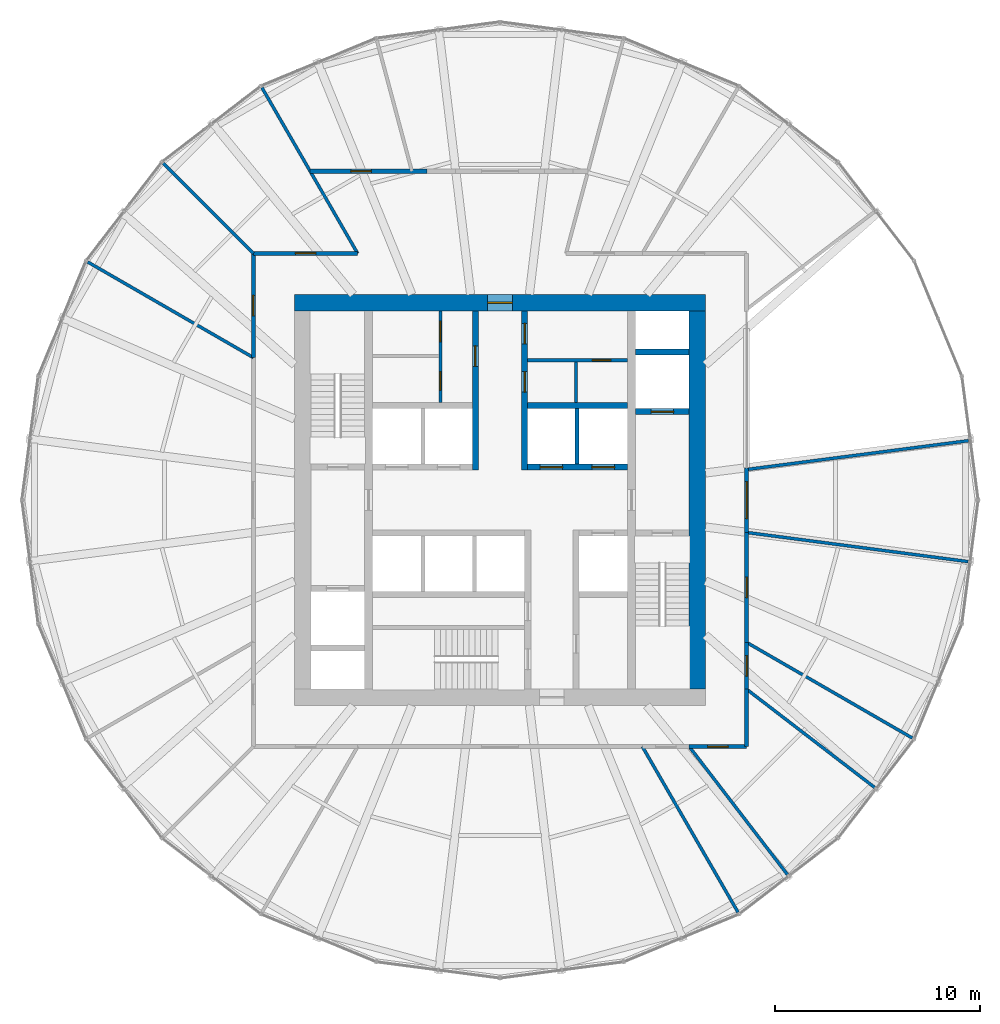
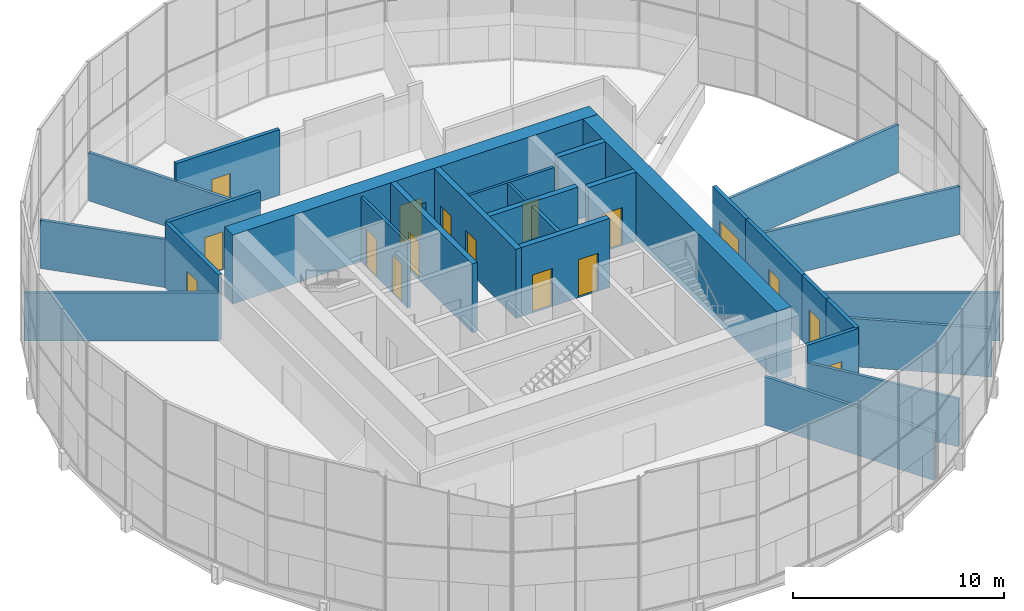
# One storey, part 16 of 18: 29 walls, 17 doors, 17 openings.
"""IFC4 building model written with IfcOpenShell, lengths in metres."""

from ifc_helpers import new_model, si_unit, direction, frame, frame_2d, origin, place, context, subcontext, project, spatial, rectangle, extrude, material, layer, layer_set, type_object, element, fill, save


model = new_model("IFC4")

# Units and contexts
model_context = context("Model", 3, precision=1e-05, world=origin(), true_north=direction((0.0, 1.0)))
body_context = subcontext(model_context, "Body", "Model", "MODEL_VIEW")
ifc_project = project(units=[si_unit("LENGTHUNIT", "METRE"), si_unit("AREAUNIT", "SQUARE_METRE"), si_unit("VOLUMEUNIT", "CUBIC_METRE"), si_unit("PLANEANGLEUNIT", "RADIAN"), si_unit("MASSUNIT", "GRAM", prefix="KILO")], contexts=[model_context])

# Site, building, storey
site_placement = place(None, origin())
site = spatial("IfcSite", under=ifc_project, at=site_placement, CompositionType="ELEMENT")
building_placement = place(site_placement, origin())
building = spatial("IfcBuilding", under=site, at=building_placement, Name="Golbaran Civic Tower", CompositionType="ELEMENT")
storey_placement = place(building_placement, frame((0.0, 0.0, 45.0)))
storey = spatial("IfcBuildingStorey", under=building, at=storey_placement, Name="L10", CompositionType="ELEMENT", Elevation=45.0)

# Wall, opening, door
ifc_material_1 = material(Name="Concrete block", Category="concrete")
ifc_layer_1 = layer(ifc_material_1, 0.14990234375, Name="Concrete block")
ifc_layer_set_1 = layer_set([ifc_layer_1], Name="Concrete block")
wall_type_1 = type_object("IfcWallType", Name="BLOCKWORK PARTITION 150", PredefinedType="PARTITIONING", material=ifc_layer_set_1)
wall_1_placement = place(storey_placement, frame((1.35009765625, 6.800048828125, 0.0), z_axis=(0.0, 0.0, 1.0), x_axis=(1.0, 0.0, 0.0)))
wall_1 = element("IfcWall", 1, at=wall_1_placement, inside=storey, type_object=wall_type_1, Name="Toilet block partition TN1 L10", PredefinedType="PARTITIONING", context=body_context, shape_type="SweptSolid", body=[
    extrude(rectangle(XDim=4.849853515625, YDim=0.14990234375, at=frame_2d((2.4248046875, 0.0))), origin(), (0.0, 0.0, 1.0), 3.75),
])
opening_1_placement = place(wall_1_placement, frame((3.14990234375, 0.0, 0.0)))
opening_1 = element("IfcOpeningElement", 2, at=opening_1_placement, cuts=wall_1, Name="Opening L10.CLN", PredefinedType="OPENING", context=body_context, shape_type="SweptSolid", body=[
    extrude(rectangle(XDim=0.89990234375, YDim=2.199951171875, at=frame_2d((0.449951171875, 1.10009765625))), frame((0.0, 0.0849609375, 0.0), z_axis=(0.0, -1.0, 0.0), x_axis=(1.0, 0.0, 0.0)), (0.0, 0.0, 1.0), 0.169921875),
])
ifc_material_2 = material(Name="Timber door set in steel frame", Category="steel")
door_type_1 = type_object("IfcDoorType", Name="RISER DOOR 900x2200", OperationType="SINGLE_SWING_LEFT", PredefinedType="DOOR", material=ifc_material_2)
door_1_placement = place(opening_1_placement, origin())
door_1 = element("IfcDoor", 3, at=door_1_placement, inside=storey, type_object=door_type_1, Name="Floor Store door", OperationType="SINGLE_SWING_RIGHT", OverallHeight=2.199951171875, OverallWidth=0.89990234375, PredefinedType="DOOR", context=body_context, shape_type="SweptSolid", body=[
    extrude(rectangle(XDim=0.89990234375, YDim=2.199951171875, at=frame_2d((0.449951171875, 1.10009765625))), frame((0.0, 0.02490234375, 0.0), z_axis=(0.0, -1.0, 0.0), x_axis=(1.0, 0.0, 0.0)), (0.0, 0.0, 1.0), 0.050048828125),
])
fill(opening_1, door_1)

# Wall
wall_2_placement = place(storey_placement, frame((3.699951171875, 4.75, 0.0), z_axis=(0.0, 0.0, 1.0), x_axis=(0.0, 1.0, 0.0)))
element("IfcWall", 4, at=wall_2_placement, inside=storey, type_object=wall_type_1, Name="Toilet block partition TN2 L10", PredefinedType="PARTITIONING", context=body_context, shape_type="SweptSolid", body=[
    extrude(rectangle(XDim=1.97509765625, YDim=0.14990234375, at=frame_2d((0.987548828125, 0.0))), origin(), (0.0, 0.0, 1.0), 3.75),
])

# Wall, opening, door
ifc_material_3 = material(Name="Concrete C50/60", Category="concrete")
ifc_layer_2 = layer(ifc_material_3, 0.800048828125, Name="Concrete C50/60")
ifc_layer_set_2 = layer_set([ifc_layer_2], Name="Concrete C50/60")
wall_type_2 = type_object("IfcWallType", Name="CORE WALL CONCRETE 800", PredefinedType="SOLIDWALL", material=ifc_layer_set_2)
wall_3_placement = place(storey_placement, frame((-10.0, 9.60009765625, 0.0), z_axis=(0.0, 0.0, 1.0), x_axis=(1.0, 0.0, 0.0)))
wall_3 = element("IfcWall", 5, at=wall_3_placement, inside=storey, type_object=wall_type_2, Name="Core wall CN L10", PredefinedType="SOLIDWALL", context=body_context, shape_type="SweptSolid", body=[
    extrude(rectangle(XDim=20.0, YDim=0.800048828125, at=frame_2d((10.0, 0.0))), origin(), (0.0, 0.0, 1.0), 4.0),
])
opening_2_placement = place(wall_3_placement, frame((9.39990234375, 0.0, 0.0)))
opening_2 = element("IfcOpeningElement", 6, at=opening_2_placement, cuts=wall_3, Name="Opening L10.CN", PredefinedType="OPENING", context=body_context, shape_type="SweptSolid", body=[
    extrude(rectangle(XDim=1.199951171875, YDim=2.199951171875, at=frame_2d((0.60009765625, 1.10009765625))), frame((0.0, 0.409912109375, 0.0), z_axis=(0.0, -1.0, 0.0), x_axis=(1.0, 0.0, 0.0)), (0.0, 0.0, 1.0), 0.820068359375),
])
door_type_2 = type_object("IfcDoorType", Name="CORE DOOR 1200x2200", OperationType="DOUBLE_DOOR_SINGLE_SWING", PredefinedType="DOOR", material=ifc_material_2)
door_2_placement = place(opening_2_placement, origin())
door_2 = element("IfcDoor", 7, at=door_2_placement, inside=storey, type_object=door_type_2, Name="Core door north", OperationType="DOUBLE_DOOR_SINGLE_SWING", OverallHeight=2.199951171875, OverallWidth=1.199951171875, PredefinedType="DOOR", context=body_context, shape_type="SweptSolid", body=[
    extrude(rectangle(XDim=1.199951171875, YDim=2.199951171875, at=frame_2d((0.60009765625, 1.10009765625))), frame((0.0, 0.02490234375, 0.0), z_axis=(0.0, -1.0, 0.0), x_axis=(1.0, 0.0, 0.0)), (0.0, 0.0, 1.0), 0.050048828125),
])
fill(opening_2, door_2)

# Wall
wall_4_placement = place(storey_placement, frame((9.60009765625, -9.199951171875, 0.0), z_axis=(0.0, 0.0, 1.0), x_axis=(0.0, 1.0, 0.0)))
element("IfcWall", 8, at=wall_4_placement, inside=storey, type_object=wall_type_2, Name="Core wall CE L10", PredefinedType="SOLIDWALL", context=body_context, shape_type="SweptSolid", body=[
    extrude(rectangle(XDim=18.39990234375, YDim=0.800048828125, at=frame_2d((9.199951171875, 0.0))), origin(), (0.0, 0.0, 1.0), 4.0),
])

# Wall, opening, door
ifc_material_4 = material(Name="Gypsum board on steel studs, fire-rated", Category="steel")
ifc_layer_3 = layer(ifc_material_4, 0.199951171875, Name="Gypsum board on steel studs, fire-rated")
ifc_layer_set_3 = layer_set([ifc_layer_3], Name="Gypsum board on steel studs, fire-rated")
wall_type_3 = type_object("IfcWallType", Name="CORRIDOR WALL 200", PredefinedType="PARTITIONING", material=ifc_layer_set_3)
wall_5_placement = place(storey_placement, frame((12.0, -6.92822265625, 0.0), z_axis=(0.0, 0.0, 1.0), x_axis=(0.0, 1.0, 0.0)))
wall_5 = element("IfcWall", 9, at=wall_5_placement, inside=storey, type_object=wall_type_3, Name="Corridor wall L10", PredefinedType="PARTITIONING", context=body_context, shape_type="SweptSolid", body=[
    extrude(rectangle(XDim=5.348388671875, YDim=0.199951171875, at=frame_2d((2.67431640625, 0.0))), origin(), (0.0, 0.0, 1.0), 3.800048828125),
])
opening_3_placement = place(wall_5_placement, frame((2.174072265625, 0.0, 0.0)))
opening_3 = element("IfcOpeningElement", 10, at=opening_3_placement, cuts=wall_5, Name="Opening L10.04", PredefinedType="OPENING", context=body_context, shape_type="SweptSolid", body=[
    extrude(rectangle(XDim=1.0, YDim=2.199951171875, at=frame_2d((0.5, 1.10009765625))), frame((0.0, 0.10986328125, 0.0), z_axis=(0.0, -1.0, 0.0), x_axis=(1.0, 0.0, 0.0)), (0.0, 0.0, 1.0), 0.219970703125),
])
door_type_3 = type_object("IfcDoorType", Name="OFFICE DOOR 1000x2200", OperationType="SINGLE_SWING_LEFT", PredefinedType="DOOR", material=ifc_material_2)
door_3_placement = place(opening_3_placement, origin())
door_3 = element("IfcDoor", 11, at=door_3_placement, inside=storey, type_object=door_type_3, Name="Meeting Room door L10", OperationType="SINGLE_SWING_LEFT", OverallHeight=2.199951171875, OverallWidth=1.0, PredefinedType="DOOR", context=body_context, shape_type="SweptSolid", body=[
    extrude(rectangle(XDim=1.0, YDim=2.199951171875, at=frame_2d((0.5, 1.10009765625))), frame((0.0, 0.02490234375, 0.0), z_axis=(0.0, -1.0, 0.0), x_axis=(1.0, 0.0, 0.0)), (0.0, 0.0, 1.0), 0.050048828125),
])
fill(opening_3, door_3)

wall_6_placement = place(storey_placement, frame((12.0, -1.579833984375, 0.0), z_axis=(0.0, 0.0, 1.0), x_axis=(0.0, 1.0, 0.0)))
wall_6 = element("IfcWall", 12, at=wall_6_placement, inside=storey, type_object=wall_type_3, Name="Corridor wall L10", PredefinedType="PARTITIONING", context=body_context, shape_type="SweptSolid", body=[
    extrude(rectangle(XDim=3.138671875, YDim=0.199951171875, at=frame_2d((1.5693359375, 0.0))), origin(), (0.0, 0.0, 1.0), 3.800048828125),
])
opening_4_placement = place(wall_6_placement, frame((0.66943359375, 0.0, 0.0)))
opening_4 = element("IfcOpeningElement", 13, at=opening_4_placement, cuts=wall_6, Name="Opening L10.05", PredefinedType="OPENING", context=body_context, shape_type="SweptSolid", body=[
    extrude(rectangle(XDim=1.800048828125, YDim=2.199951171875, at=frame_2d((0.89990234375, 1.10009765625))), frame((0.0, 0.10986328125, 0.0), z_axis=(0.0, -1.0, 0.0), x_axis=(1.0, 0.0, 0.0)), (0.0, 0.0, 1.0), 0.219970703125),
])
door_type_4 = type_object("IfcDoorType", Name="OFFICE DOUBLE DOOR 1800x2200", OperationType="DOUBLE_DOOR_SINGLE_SWING", PredefinedType="DOOR", material=ifc_material_2)
door_4_placement = place(opening_4_placement, origin())
door_4 = element("IfcDoor", 14, at=door_4_placement, inside=storey, type_object=door_type_4, Name="Open Office door L10", OperationType="DOUBLE_DOOR_SINGLE_SWING", OverallHeight=2.199951171875, OverallWidth=1.800048828125, PredefinedType="DOOR", context=body_context, shape_type="SweptSolid", body=[
    extrude(rectangle(XDim=1.800048828125, YDim=2.199951171875, at=frame_2d((0.89990234375, 1.10009765625))), frame((0.0, 0.02490234375, 0.0), z_axis=(0.0, -1.0, 0.0), x_axis=(1.0, 0.0, 0.0)), (0.0, 0.0, 1.0), 0.050048828125),
])
fill(opening_4, door_4)

wall_7_placement = place(storey_placement, frame((-6.92822265625, 12.0, 0.0), z_axis=(0.0, 0.0, 1.0), x_axis=(-1.0, 0.0, 0.0)))
wall_7 = element("IfcWall", 15, at=wall_7_placement, inside=storey, type_object=wall_type_3, Name="Corridor wall L10", PredefinedType="PARTITIONING", context=body_context, shape_type="SweptSolid", body=[
    extrude(rectangle(XDim=5.07177734375, YDim=0.199951171875, at=frame_2d((2.535888671875, 0.0))), origin(), (0.0, 0.0, 1.0), 3.800048828125),
])
opening_5_placement = place(wall_7_placement, frame((2.035888671875, 0.0, 0.0)))
opening_5 = element("IfcOpeningElement", 16, at=opening_5_placement, cuts=wall_7, Name="Opening L10.08", PredefinedType="OPENING", context=body_context, shape_type="SweptSolid", body=[
    extrude(rectangle(XDim=1.0, YDim=2.199951171875, at=frame_2d((0.5, 1.10009765625))), frame((0.0, 0.10986328125, 0.0), z_axis=(0.0, -1.0, 0.0), x_axis=(1.0, 0.0, 0.0)), (0.0, 0.0, 1.0), 0.219970703125),
])
door_5_placement = place(opening_5_placement, origin())
door_5 = element("IfcDoor", 17, at=door_5_placement, inside=storey, type_object=door_type_3, Name="Office door L10", OperationType="SINGLE_SWING_RIGHT", OverallHeight=2.199951171875, OverallWidth=1.0, PredefinedType="DOOR", context=body_context, shape_type="SweptSolid", body=[
    extrude(rectangle(XDim=1.0, YDim=2.199951171875, at=frame_2d((0.5, 1.10009765625))), frame((0.0, 0.02490234375, 0.0), z_axis=(0.0, -1.0, 0.0), x_axis=(1.0, 0.0, 0.0)), (0.0, 0.0, 1.0), 0.050048828125),
])
fill(opening_5, door_5)

wall_8_placement = place(storey_placement, frame((-12.0, 12.0, 0.0), z_axis=(0.0, 0.0, 1.0), x_axis=(0.0, -1.0, 0.0)))
wall_8 = element("IfcWall", 18, at=wall_8_placement, inside=storey, type_object=wall_type_3, Name="Corridor wall L10", PredefinedType="PARTITIONING", context=body_context, shape_type="SweptSolid", body=[
    extrude(rectangle(XDim=5.07177734375, YDim=0.199951171875, at=frame_2d((2.535888671875, 0.0))), origin(), (0.0, 0.0, 1.0), 3.800048828125),
])
opening_6_placement = place(wall_8_placement, frame((2.035888671875, 0.0, 0.0)))
opening_6 = element("IfcOpeningElement", 19, at=opening_6_placement, cuts=wall_8, Name="Opening L10.09", PredefinedType="OPENING", context=body_context, shape_type="SweptSolid", body=[
    extrude(rectangle(XDim=1.0, YDim=2.199951171875, at=frame_2d((0.5, 1.10009765625))), frame((0.0, 0.10986328125, 0.0), z_axis=(0.0, -1.0, 0.0), x_axis=(1.0, 0.0, 0.0)), (0.0, 0.0, 1.0), 0.219970703125),
])
door_6_placement = place(opening_6_placement, origin())
door_6 = element("IfcDoor", 20, at=door_6_placement, inside=storey, type_object=door_type_3, Name="Print and Copy Room door L10", OperationType="SINGLE_SWING_RIGHT", OverallHeight=2.199951171875, OverallWidth=1.0, PredefinedType="DOOR", context=body_context, shape_type="SweptSolid", body=[
    extrude(rectangle(XDim=1.0, YDim=2.199951171875, at=frame_2d((0.5, 1.10009765625))), frame((0.0, 0.02490234375, 0.0), z_axis=(0.0, -1.0, 0.0), x_axis=(1.0, 0.0, 0.0)), (0.0, 0.0, 1.0), 0.050048828125),
])
fill(opening_6, door_6)

wall_9_placement = place(storey_placement, frame((9.2080078125, -12.0, 0.0), z_axis=(0.0, 0.0, 1.0), x_axis=(1.0, 0.0, 0.0)))
wall_9 = element("IfcWall", 21, at=wall_9_placement, inside=storey, type_object=wall_type_3, Name="Corridor wall L10", PredefinedType="PARTITIONING", context=body_context, shape_type="SweptSolid", body=[
    extrude(rectangle(XDim=2.7919921875, YDim=0.199951171875, at=frame_2d((1.39599609375, 0.0))), origin(), (0.0, 0.0, 1.0), 3.800048828125),
])
opening_7_placement = place(wall_9_placement, frame((0.89599609375, 0.0, 0.0)))
opening_7 = element("IfcOpeningElement", 22, at=opening_7_placement, cuts=wall_9, Name="Opening L10.15", PredefinedType="OPENING", context=body_context, shape_type="SweptSolid", body=[
    extrude(rectangle(XDim=1.0, YDim=2.199951171875, at=frame_2d((0.5, 1.10009765625))), frame((0.0, 0.10986328125, 0.0), z_axis=(0.0, -1.0, 0.0), x_axis=(1.0, 0.0, 0.0)), (0.0, 0.0, 1.0), 0.219970703125),
])
door_7_placement = place(opening_7_placement, origin())
door_7 = element("IfcDoor", 23, at=door_7_placement, inside=storey, type_object=door_type_3, Name="Quiet Room door L10", OperationType="SINGLE_SWING_LEFT", OverallHeight=2.199951171875, OverallWidth=1.0, PredefinedType="DOOR", context=body_context, shape_type="SweptSolid", body=[
    extrude(rectangle(XDim=1.0, YDim=2.199951171875, at=frame_2d((0.5, 1.10009765625))), frame((0.0, 0.02490234375, 0.0), z_axis=(0.0, -1.0, 0.0), x_axis=(1.0, 0.0, 0.0)), (0.0, 0.0, 1.0), 0.050048828125),
])
fill(opening_7, door_7)

# Wall
wall_10_placement = place(storey_placement, frame((12.0, -12.0, 0.0), z_axis=(0.0, 0.0, 1.0), x_axis=(0.0, 1.0, 0.0)))
element("IfcWall", 24, at=wall_10_placement, inside=storey, type_object=wall_type_3, Name="Corridor wall L10", PredefinedType="PARTITIONING", context=body_context, shape_type="SweptSolid", body=[
    extrude(rectangle(XDim=2.7919921875, YDim=0.199951171875, at=frame_2d((1.39599609375, 0.0))), origin(), (0.0, 0.0, 1.0), 3.800048828125),
])

# Wall, opening, door
wall_11_placement = place(storey_placement, frame((12.0, -9.2080078125, 0.0), z_axis=(0.0, 0.0, 1.0), x_axis=(0.0, 1.0, 0.0)))
wall_11 = element("IfcWall", 25, at=wall_11_placement, inside=storey, type_object=wall_type_3, Name="Corridor wall L10", PredefinedType="PARTITIONING", context=body_context, shape_type="SweptSolid", body=[
    extrude(rectangle(XDim=2.27978515625, YDim=0.199951171875, at=frame_2d((1.139892578125, 0.0))), origin(), (0.0, 0.0, 1.0), 3.800048828125),
])
opening_8_placement = place(wall_11_placement, frame((0.639892578125, 0.0, 0.0)))
opening_8 = element("IfcOpeningElement", 26, at=opening_8_placement, cuts=wall_11, Name="Opening L10.16", PredefinedType="OPENING", context=body_context, shape_type="SweptSolid", body=[
    extrude(rectangle(XDim=1.0, YDim=2.199951171875, at=frame_2d((0.5, 1.10009765625))), frame((0.0, 0.10986328125, 0.0), z_axis=(0.0, -1.0, 0.0), x_axis=(1.0, 0.0, 0.0)), (0.0, 0.0, 1.0), 0.219970703125),
])
door_8_placement = place(opening_8_placement, origin())
door_8 = element("IfcDoor", 27, at=door_8_placement, inside=storey, type_object=door_type_3, Name="Store door L10", OperationType="SINGLE_SWING_LEFT", OverallHeight=2.199951171875, OverallWidth=1.0, PredefinedType="DOOR", context=body_context, shape_type="SweptSolid", body=[
    extrude(rectangle(XDim=1.0, YDim=2.199951171875, at=frame_2d((0.5, 1.10009765625))), frame((0.0, 0.02490234375, 0.0), z_axis=(0.0, -1.0, 0.0), x_axis=(1.0, 0.0, 0.0)), (0.0, 0.0, 1.0), 0.050048828125),
])
fill(opening_8, door_8)

ifc_material_5 = material(Name="Gypsum board on steel studs, fire-rated, glazed panels", Category="steel")
ifc_layer_4 = layer(ifc_material_5, 0.199951171875, Name="Gypsum board on steel studs, fire-rated, glazed panels")
ifc_layer_set_4 = layer_set([ifc_layer_4], Name="Gypsum board on steel studs, fire-rated, glazed panels")
wall_type_4 = type_object("IfcWallType", Name="GALLERY WALL 200", PredefinedType="PARTITIONING", material=ifc_layer_set_4)
wall_12_placement = place(storey_placement, frame((-3.543701171875, 16.0, 0.0), z_axis=(0.0, 0.0, 1.0), x_axis=(-1.0, 0.0, 0.0)))
wall_12 = element("IfcWall", 28, at=wall_12_placement, inside=storey, type_object=wall_type_4, Name="Gallery wall L10 (part 5)", PredefinedType="PARTITIONING", context=body_context, shape_type="SweptSolid", body=[
    extrude(rectangle(XDim=5.69384765625, YDim=0.199951171875, at=frame_2d((2.846923828125, 0.0))), origin(), (0.0, 0.0, 1.0), 3.800048828125),
])
opening_9_placement = place(wall_12_placement, frame((2.71875, 0.0, 0.0)))
opening_9 = element("IfcOpeningElement", 29, at=opening_9_placement, cuts=wall_12, Name="Opening L10.03", PredefinedType="OPENING", context=body_context, shape_type="SweptSolid", body=[
    extrude(rectangle(XDim=1.0, YDim=2.199951171875, at=frame_2d((0.5, 1.10009765625))), frame((0.0, 0.10986328125, 0.0), z_axis=(0.0, -1.0, 0.0), x_axis=(1.0, 0.0, 0.0)), (0.0, 0.0, 1.0), 0.219970703125),
])
door_9_placement = place(opening_9_placement, origin())
door_9 = element("IfcDoor", 30, at=door_9_placement, inside=storey, type_object=door_type_3, Name="Director's Office door L10", OperationType="SINGLE_SWING_RIGHT", OverallHeight=2.199951171875, OverallWidth=1.0, PredefinedType="DOOR", context=body_context, shape_type="SweptSolid", body=[
    extrude(rectangle(XDim=1.0, YDim=2.199951171875, at=frame_2d((0.5, 1.10009765625))), frame((0.0, 0.02490234375, 0.0), z_axis=(0.0, -1.0, 0.0), x_axis=(1.0, 0.0, 0.0)), (0.0, 0.0, 1.0), 0.050048828125),
])
fill(opening_9, door_9)

# Walls
ifc_layer_5 = layer(ifc_material_1, 0.199951171875, Name="Concrete block")
ifc_layer_set_5 = layer_set([ifc_layer_5], Name="Concrete block")
wall_type_5 = type_object("IfcWallType", Name="LIFT SEPARATOR WALL 200", PredefinedType="SOLIDWALL", material=ifc_layer_set_5)
wall_13_placement = place(storey_placement, frame((3.75, 1.75, 0.0), z_axis=(0.0, 0.0, 1.0), x_axis=(0.0, 1.0, 0.0)))
element("IfcWall", 31, at=wall_13_placement, inside=storey, type_object=wall_type_5, Name="Core partition SNE L10", PredefinedType="SOLIDWALL", context=body_context, shape_type="SweptSolid", body=[
    extrude(rectangle(XDim=2.699951171875, YDim=0.199951171875, at=frame_2d((1.35009765625, 0.0))), origin(), (0.0, 0.0, 1.0), 3.75),
])
ifc_material_6 = material(Name="Gypsum board on steel studs", Category="steel")
ifc_layer_6 = layer(ifc_material_6, 0.14990234375, Name="Gypsum board on steel studs")
ifc_layer_set_6 = layer_set([ifc_layer_6], Name="Gypsum board on steel studs")
wall_type_6 = type_object("IfcWallType", Name="OFFICE PARTITION 150", PredefinedType="PARTITIONING", material=ifc_layer_set_6)
wall_14_placement = place(storey_placement, frame((12.0, -6.92822265625, 0.0), z_axis=(0.0, 0.0, 1.0), x_axis=(0.866028610261, -0.499994446179, 0.0)))
element("IfcWall", 32, at=wall_14_placement, inside=storey, type_object=wall_type_6, Name="Partition 330 L10", PredefinedType="PARTITIONING", context=body_context, shape_type="SweptSolid", body=[
    extrude(rectangle(XDim=9.32373046875, YDim=0.14990234375, at=frame_2d((4.661865234375, 0.0))), origin(), (0.0, 0.0, 1.0), 2.7900390625),
])
wall_15_placement = place(storey_placement, frame((12.0, -1.579833984375, 0.0), z_axis=(0.0, 0.0, 1.0), x_axis=(0.991444897346, -0.130525918984, 0.0)))
element("IfcWall", 33, at=wall_15_placement, inside=storey, type_object=wall_type_6, Name="Partition 352.5 L10", PredefinedType="PARTITIONING", context=body_context, shape_type="SweptSolid", body=[
    extrude(rectangle(XDim=10.87841796875, YDim=0.14990234375, at=frame_2d((5.439208984375, 0.0))), origin(), (0.0, 0.0, 1.0), 2.7900390625),
])
wall_16_placement = place(storey_placement, frame((12.009765625, 1.484375, 0.0), z_axis=(0.0, 0.0, 1.0), x_axis=(0.991668835428, 0.128813511872, 0.0)))
element("IfcWall", 34, at=wall_16_placement, inside=storey, type_object=wall_type_6, Name="Partition 7.40125 L10", PredefinedType="PARTITIONING", context=body_context, shape_type="SweptSolid", body=[
    extrude(rectangle(XDim=10.880859375, YDim=0.14990234375, at=frame_2d((5.4404296875, 0.0))), origin(), (0.0, 0.0, 1.0), 2.7900390625),
])
wall_17_placement = place(storey_placement, frame((-6.92822265625, 12.0, 0.0), z_axis=(0.0, 0.0, 1.0), x_axis=(-0.499994446179, 0.866028610261, 0.0)))
element("IfcWall", 35, at=wall_17_placement, inside=storey, type_object=wall_type_6, Name="Partition 120 L10", PredefinedType="PARTITIONING", context=body_context, shape_type="SweptSolid", body=[
    extrude(rectangle(XDim=9.32373046875, YDim=0.14990234375, at=frame_2d((4.661865234375, 0.0))), origin(), (0.0, 0.0, 1.0), 2.7900390625),
])
wall_18_placement = place(storey_placement, frame((-12.0, 12.0, 0.0), z_axis=(0.0, 0.0, 1.0), x_axis=(-0.707106781187, 0.707106781187, 0.0)))
element("IfcWall", 36, at=wall_18_placement, inside=storey, type_object=wall_type_6, Name="Partition 135 L10", PredefinedType="PARTITIONING", context=body_context, shape_type="SweptSolid", body=[
    extrude(rectangle(XDim=6.209716796875, YDim=0.14990234375, at=frame_2d((3.10498046875, 0.0))), origin(), (0.0, 0.0, 1.0), 2.7900390625),
])
for number, where, z_axis, x_axis, name in (
    (37, (-12.0, 6.92822265625, 0.0), (0.0, 0.0, 1.0), (-0.866028610261, 0.499994446179, 0.0), "Partition 150 L10"),
    (38, (6.92822265625, -12.0, 0.0), (0.0, 0.0, 1.0), (0.499994446179, -0.866028610261, 0.0), "Partition 300 L10"),
):
    element("IfcWall", number, at=place(storey_placement, frame(where, z_axis=z_axis, x_axis=x_axis)), inside=storey, type_object=wall_type_6, Name=name, PredefinedType="PARTITIONING", context=body_context, shape_type="SweptSolid", body=[
        extrude(rectangle(XDim=9.32373046875, YDim=0.14990234375, at=frame_2d((4.661865234375, 0.0))), origin(), (0.0, 0.0, 1.0), 2.7900390625),
    ])
for number, where, z_axis, x_axis, name in (
    (39, (9.2080078125, -12.0, 0.0), (0.0, 0.0, 1.0), (0.60875965539, -0.793354701233, 0.0), "Partition 307.5 L10"),
    (40, (12.0, -9.2080078125, 0.0), (0.0, 0.0, 1.0), (0.793354701233, -0.60875965539, 0.0), "Partition 322.5 L10"),
):
    element("IfcWall", number, at=place(storey_placement, frame(where, z_axis=z_axis, x_axis=x_axis)), inside=storey, type_object=wall_type_6, Name=name, PredefinedType="PARTITIONING", context=body_context, shape_type="SweptSolid", body=[
        extrude(rectangle(XDim=7.856201171875, YDim=0.14990234375, at=frame_2d((3.92822265625, 0.0))), origin(), (0.0, 0.0, 1.0), 2.7900390625),
    ])

# Wall, openings, doors
ifc_layer_7 = layer(ifc_material_3, 0.300048828125, Name="Concrete C50/60")
ifc_layer_set_7 = layer_set([ifc_layer_7], Name="Concrete C50/60")
wall_type_7 = type_object("IfcWallType", Name="SHAFT WALL CONCRETE 300", PredefinedType="SOLIDWALL", material=ifc_layer_set_7)
wall_19_placement = place(storey_placement, frame((1.35009765625, 1.60009765625, 0.0), z_axis=(0.0, 0.0, 1.0), x_axis=(1.0, 0.0, 0.0)))
wall_19 = element("IfcWall", 41, at=wall_19_placement, inside=storey, type_object=wall_type_7, Name="Core wall FNE L10", PredefinedType="SOLIDWALL", context=body_context, shape_type="SweptSolid", body=[
    extrude(rectangle(XDim=4.849853515625, YDim=0.300048828125, at=frame_2d((2.4248046875, 0.0))), origin(), (0.0, 0.0, 1.0), 4.0),
])
opening_10_placement = place(wall_19_placement, frame((0.60009765625, 0.0, 0.0)))
opening_10 = element("IfcOpeningElement", 42, at=opening_10_placement, cuts=wall_19, Name="Opening L10.LD-Z3L", PredefinedType="OPENING", context=body_context, shape_type="SweptSolid", body=[
    extrude(rectangle(XDim=1.10009765625, YDim=2.199951171875, at=frame_2d((0.550048828125, 1.10009765625))), frame((0.0, 0.159912109375, 0.0), z_axis=(0.0, -1.0, 0.0), x_axis=(1.0, 0.0, 0.0)), (0.0, 0.0, 1.0), 0.320068359375),
])
opening_11_placement = place(wall_19_placement, frame((3.125, 0.0, 0.0)))
opening_11 = element("IfcOpeningElement", 43, at=opening_11_placement, cuts=wall_19, Name="Opening L10.LD-Z4L", PredefinedType="OPENING", context=body_context, shape_type="SweptSolid", body=[
    extrude(rectangle(XDim=1.10009765625, YDim=2.199951171875, at=frame_2d((0.550048828125, 1.10009765625))), frame((0.0, 0.159912109375, 0.0), z_axis=(0.0, -1.0, 0.0), x_axis=(1.0, 0.0, 0.0)), (0.0, 0.0, 1.0), 0.320068359375),
])
ifc_material_7 = material(Name="Stainless steel", Category="steel")
door_type_5 = type_object("IfcDoorType", Name="LIFT LANDING DOOR 1100x2200", OperationType="SLIDING_TO_LEFT", PredefinedType="DOOR", material=ifc_material_7)
door_10_placement = place(opening_10_placement, origin())
door_10 = element("IfcDoor", 44, at=door_10_placement, inside=storey, type_object=door_type_5, Name="Lift landing door Z3L", OperationType="SLIDING_TO_LEFT", OverallHeight=2.199951171875, OverallWidth=1.10009765625, PredefinedType="DOOR", context=body_context, shape_type="SweptSolid", body=[
    extrude(rectangle(XDim=1.10009765625, YDim=2.199951171875, at=frame_2d((0.550048828125, 1.10009765625))), frame((0.0, 0.02490234375, 0.0), z_axis=(0.0, -1.0, 0.0), x_axis=(1.0, 0.0, 0.0)), (0.0, 0.0, 1.0), 0.050048828125),
])
fill(opening_10, door_10)
door_11_placement = place(opening_11_placement, origin())
door_11 = element("IfcDoor", 45, at=door_11_placement, inside=storey, type_object=door_type_5, Name="Lift landing door Z4L", OperationType="SLIDING_TO_LEFT", OverallHeight=2.199951171875, OverallWidth=1.10009765625, PredefinedType="DOOR", context=body_context, shape_type="SweptSolid", body=[
    extrude(rectangle(XDim=1.10009765625, YDim=2.199951171875, at=frame_2d((0.550048828125, 1.10009765625))), frame((0.0, 0.02490234375, 0.0), z_axis=(0.0, -1.0, 0.0), x_axis=(1.0, 0.0, 0.0)), (0.0, 0.0, 1.0), 0.050048828125),
])
fill(opening_11, door_11)

# Wall
wall_20_placement = place(storey_placement, frame((1.35009765625, 4.60009765625, 0.0), z_axis=(0.0, 0.0, 1.0), x_axis=(1.0, 0.0, 0.0)))
element("IfcWall", 46, at=wall_20_placement, inside=storey, type_object=wall_type_7, Name="Core wall BNE L10", PredefinedType="SOLIDWALL", context=body_context, shape_type="SweptSolid", body=[
    extrude(rectangle(XDim=4.849853515625, YDim=0.300048828125, at=frame_2d((2.4248046875, 0.0))), origin(), (0.0, 0.0, 1.0), 4.0),
])

# Wall, opening, door
wall_21_placement = place(storey_placement, frame((-1.199951171875, 1.449951171875, 0.0), z_axis=(0.0, 0.0, 1.0), x_axis=(0.0, 1.0, 0.0)))
wall_21 = element("IfcWall", 47, at=wall_21_placement, inside=storey, type_object=wall_type_7, Name="Core wall PNW L10", PredefinedType="SOLIDWALL", context=body_context, shape_type="SweptSolid", body=[
    extrude(rectangle(XDim=7.75, YDim=0.300048828125, at=frame_2d((3.875, 0.0))), origin(), (0.0, 0.0, 1.0), 4.0),
])
opening_12_placement = place(wall_21_placement, frame((5.050048828125, 0.0, 0.0)))
opening_12 = element("IfcOpeningElement", 48, at=opening_12_placement, cuts=wall_21, Name="Opening L10.WCM", PredefinedType="OPENING", context=body_context, shape_type="SweptSolid", body=[
    extrude(rectangle(XDim=1.0, YDim=2.199951171875, at=frame_2d((0.5, 1.10009765625))), frame((0.0, 0.159912109375, 0.0), z_axis=(0.0, -1.0, 0.0), x_axis=(1.0, 0.0, 0.0)), (0.0, 0.0, 1.0), 0.320068359375),
])
door_type_6 = type_object("IfcDoorType", Name="TOILET DOOR 1000x2200", OperationType="SINGLE_SWING_LEFT", PredefinedType="DOOR", material=ifc_material_2)
door_12_placement = place(opening_12_placement, origin())
door_12 = element("IfcDoor", 49, at=door_12_placement, inside=storey, type_object=door_type_6, Name="North-west toilet block door", OperationType="SINGLE_SWING_RIGHT", OverallHeight=2.199951171875, OverallWidth=1.0, PredefinedType="DOOR", context=body_context, shape_type="SweptSolid", body=[
    extrude(rectangle(XDim=1.0, YDim=2.199951171875, at=frame_2d((0.5, 1.10009765625))), frame((0.0, 0.02490234375, 0.0), z_axis=(0.0, -1.0, 0.0), x_axis=(1.0, 0.0, 0.0)), (0.0, 0.0, 1.0), 0.050048828125),
])
fill(opening_12, door_12)

# Wall, openings, doors
wall_22_placement = place(storey_placement, frame((1.199951171875, 1.449951171875, 0.0), z_axis=(0.0, 0.0, 1.0), x_axis=(0.0, 1.0, 0.0)))
wall_22 = element("IfcWall", 50, at=wall_22_placement, inside=storey, type_object=wall_type_7, Name="Core wall PNE L10", PredefinedType="SOLIDWALL", context=body_context, shape_type="SweptSolid", body=[
    extrude(rectangle(XDim=7.75, YDim=0.300048828125, at=frame_2d((3.875, 0.0))), origin(), (0.0, 0.0, 1.0), 4.0),
])
opening_13_placement = place(wall_22_placement, frame((3.800048828125, 0.0, 0.0)))
opening_13 = element("IfcOpeningElement", 51, at=opening_13_placement, cuts=wall_22, Name="Opening L10.WCA", PredefinedType="OPENING", context=body_context, shape_type="SweptSolid", body=[
    extrude(rectangle(XDim=1.0, YDim=2.199951171875, at=frame_2d((0.5, 1.10009765625))), frame((0.0, 0.159912109375, 0.0), z_axis=(0.0, -1.0, 0.0), x_axis=(1.0, 0.0, 0.0)), (0.0, 0.0, 1.0), 0.320068359375),
])
opening_14_placement = place(wall_22_placement, frame((6.14990234375, 0.0, 0.0)))
opening_14 = element("IfcOpeningElement", 52, at=opening_14_placement, cuts=wall_22, Name="Opening L10.WCF", PredefinedType="OPENING", context=body_context, shape_type="SweptSolid", body=[
    extrude(rectangle(XDim=1.0, YDim=2.199951171875, at=frame_2d((0.5, 1.10009765625))), frame((0.0, 0.159912109375, 0.0), z_axis=(0.0, -1.0, 0.0), x_axis=(1.0, 0.0, 0.0)), (0.0, 0.0, 1.0), 0.320068359375),
])
door_13_placement = place(opening_13_placement, origin())
door_13 = element("IfcDoor", 53, at=door_13_placement, inside=storey, type_object=door_type_6, Name="Accessible WC door", OperationType="SINGLE_SWING_RIGHT", OverallHeight=2.199951171875, OverallWidth=1.0, PredefinedType="DOOR", context=body_context, shape_type="SweptSolid", body=[
    extrude(rectangle(XDim=1.0, YDim=2.199951171875, at=frame_2d((0.5, 1.10009765625))), frame((0.0, 0.02490234375, 0.0), z_axis=(0.0, -1.0, 0.0), x_axis=(1.0, 0.0, 0.0)), (0.0, 0.0, 1.0), 0.050048828125),
])
fill(opening_13, door_13)
door_14_placement = place(opening_14_placement, origin())
door_14 = element("IfcDoor", 54, at=door_14_placement, inside=storey, type_object=door_type_6, Name="North-east toilet block door", OperationType="SINGLE_SWING_RIGHT", OverallHeight=2.199951171875, OverallWidth=1.0, PredefinedType="DOOR", context=body_context, shape_type="SweptSolid", body=[
    extrude(rectangle(XDim=1.0, YDim=2.199951171875, at=frame_2d((0.5, 1.10009765625))), frame((0.0, 0.02490234375, 0.0), z_axis=(0.0, -1.0, 0.0), x_axis=(1.0, 0.0, 0.0)), (0.0, 0.0, 1.0), 0.050048828125),
])
fill(opening_14, door_14)

# Wall, opening, door
wall_23_placement = place(storey_placement, frame((6.60009765625, 4.300048828125, 0.0), z_axis=(0.0, 0.0, 1.0), x_axis=(1.0, 0.0, 0.0)))
wall_23 = element("IfcWall", 55, at=wall_23_placement, inside=storey, type_object=wall_type_7, Name="Core wall XE2 L10", PredefinedType="SOLIDWALL", context=body_context, shape_type="SweptSolid", body=[
    extrude(rectangle(XDim=2.599853515625, YDim=0.300048828125, at=frame_2d((1.2998046875, 0.0))), origin(), (0.0, 0.0, 1.0), 4.0),
])
opening_15_placement = place(wall_23_placement, frame((0.75, 0.0, 0.0)))
opening_15 = element("IfcOpeningElement", 56, at=opening_15_placement, cuts=wall_23, Name="Opening L10.LD-F2", PredefinedType="OPENING", context=body_context, shape_type="SweptSolid", body=[
    extrude(rectangle(XDim=1.10009765625, YDim=2.199951171875, at=frame_2d((0.550048828125, 1.10009765625))), frame((0.0, 0.159912109375, 0.0), z_axis=(0.0, -1.0, 0.0), x_axis=(1.0, 0.0, 0.0)), (0.0, 0.0, 1.0), 0.320068359375),
])
door_15_placement = place(opening_15_placement, origin())
door_15 = element("IfcDoor", 57, at=door_15_placement, inside=storey, type_object=door_type_5, Name="Lift landing door F2", OperationType="SLIDING_TO_LEFT", OverallHeight=2.199951171875, OverallWidth=1.10009765625, PredefinedType="DOOR", context=body_context, shape_type="SweptSolid", body=[
    extrude(rectangle(XDim=1.10009765625, YDim=2.199951171875, at=frame_2d((0.550048828125, 1.10009765625))), frame((0.0, 0.02490234375, 0.0), z_axis=(0.0, -1.0, 0.0), x_axis=(1.0, 0.0, 0.0)), (0.0, 0.0, 1.0), 0.050048828125),
])
fill(opening_15, door_15)

# Wall
wall_24_placement = place(storey_placement, frame((6.60009765625, 7.199951171875, 0.0), z_axis=(0.0, 0.0, 1.0), x_axis=(1.0, 0.0, 0.0)))
element("IfcWall", 58, at=wall_24_placement, inside=storey, type_object=wall_type_7, Name="Core wall XE3 L10", PredefinedType="SOLIDWALL", context=body_context, shape_type="SweptSolid", body=[
    extrude(rectangle(XDim=2.599853515625, YDim=0.300048828125, at=frame_2d((1.2998046875, 0.0))), origin(), (0.0, 0.0, 1.0), 4.0),
])

# Wall, openings, doors
ifc_material_8 = material(Name="Moisture-resistant gypsum board on steel studs", Category="steel")
ifc_layer_8 = layer(ifc_material_8, 0.14990234375, Name="Moisture-resistant gypsum board on steel studs")
ifc_layer_set_8 = layer_set([ifc_layer_8], Name="Moisture-resistant gypsum board on steel studs")
wall_type_8 = type_object("IfcWallType", Name="TOILET BLOCK PARTITION 150", PredefinedType="PARTITIONING", material=ifc_layer_set_8)
wall_25_placement = place(storey_placement, frame((-2.89990234375, 4.75, 0.0), z_axis=(0.0, 0.0, 1.0), x_axis=(0.0, 1.0, 0.0)))
wall_25 = element("IfcWall", 59, at=wall_25_placement, inside=storey, type_object=wall_type_8, Name="Toilet block partition MWL L10", PredefinedType="PARTITIONING", context=body_context, shape_type="SweptSolid", body=[
    extrude(rectangle(XDim=4.449951171875, YDim=0.14990234375, at=frame_2d((2.22509765625, 0.0))), origin(), (0.0, 0.0, 1.0), 3.75),
])
opening_16_placement = place(wall_25_placement, frame((2.949951171875, 0.0, 0.0)))
opening_16 = element("IfcOpeningElement", 60, at=opening_16_placement, cuts=wall_25, Name="Opening L10.17", PredefinedType="OPENING", context=body_context, shape_type="SweptSolid", body=[
    extrude(rectangle(XDim=1.0, YDim=2.199951171875, at=frame_2d((0.5, 1.10009765625))), frame((0.0, 0.0849609375, 0.0), z_axis=(0.0, -1.0, 0.0), x_axis=(1.0, 0.0, 0.0)), (0.0, 0.0, 1.0), 0.169921875),
])
opening_17_placement = place(wall_25_placement, frame((0.60009765625, 0.0, 0.0)))
opening_17 = element("IfcOpeningElement", 61, at=opening_17_placement, cuts=wall_25, Name="Opening L10.01", PredefinedType="OPENING", context=body_context, shape_type="SweptSolid", body=[
    extrude(rectangle(XDim=0.89990234375, YDim=2.199951171875, at=frame_2d((0.449951171875, 1.10009765625))), frame((0.0, 0.0849609375, 0.0), z_axis=(0.0, -1.0, 0.0), x_axis=(1.0, 0.0, 0.0)), (0.0, 0.0, 1.0), 0.169921875),
])
door_16_placement = place(opening_17_placement, origin())
door_16 = element("IfcDoor", 62, at=door_16_placement, inside=storey, type_object=door_type_1, Name="IT and comms room door", OperationType="SINGLE_SWING_LEFT", OverallHeight=2.199951171875, OverallWidth=0.89990234375, PredefinedType="DOOR", context=body_context, shape_type="SweptSolid", body=[
    extrude(rectangle(XDim=0.89990234375, YDim=2.199951171875, at=frame_2d((0.449951171875, 1.10009765625))), frame((0.0, 0.02490234375, 0.0), z_axis=(0.0, -1.0, 0.0), x_axis=(1.0, 0.0, 0.0)), (0.0, 0.0, 1.0), 0.050048828125),
])
fill(opening_17, door_16)
door_17_placement = place(opening_16_placement, origin())
door_17 = element("IfcDoor", 63, at=door_17_placement, inside=storey, type_object=door_type_6, Name="Female WC door", OperationType="SINGLE_SWING_RIGHT", OverallHeight=2.199951171875, OverallWidth=1.0, PredefinedType="DOOR", context=body_context, shape_type="SweptSolid", body=[
    extrude(rectangle(XDim=1.0, YDim=2.199951171875, at=frame_2d((0.5, 1.10009765625))), frame((0.0, 0.02490234375, 0.0), z_axis=(0.0, -1.0, 0.0), x_axis=(1.0, 0.0, 0.0)), (0.0, 0.0, 1.0), 0.050048828125),
])
fill(opening_16, door_17)

save(model, "model.ifc")
